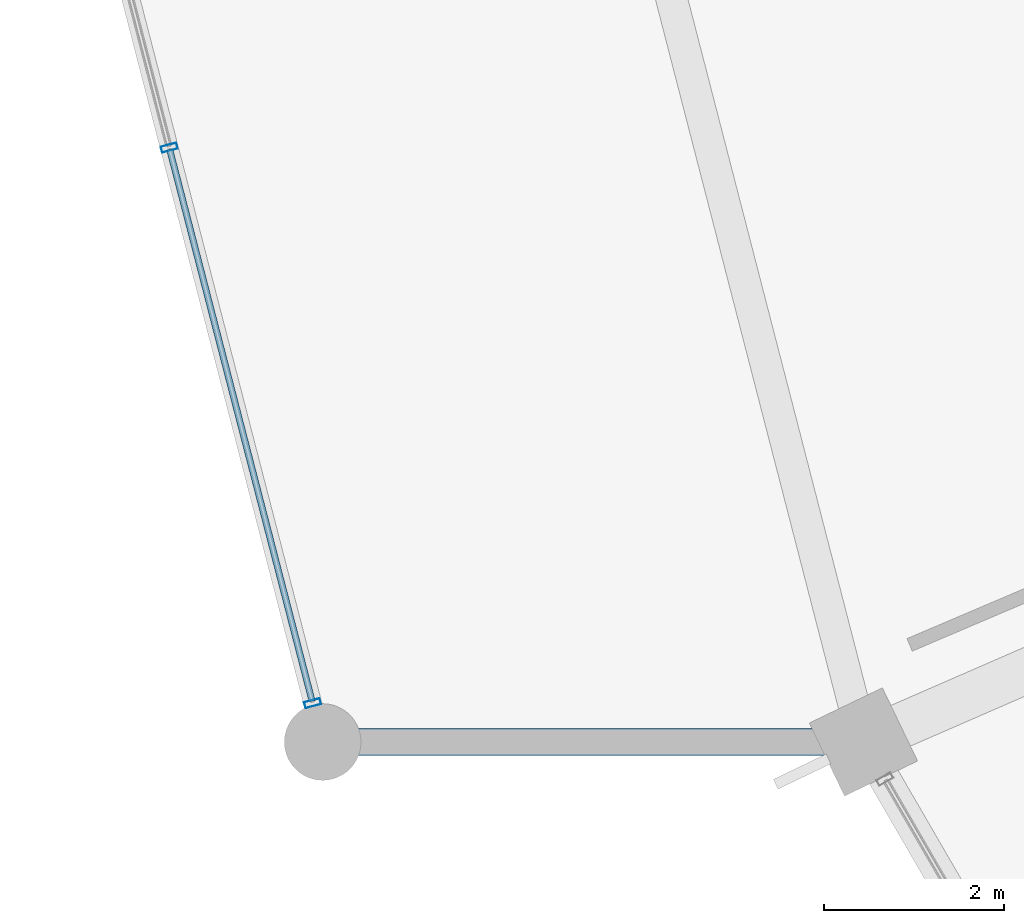
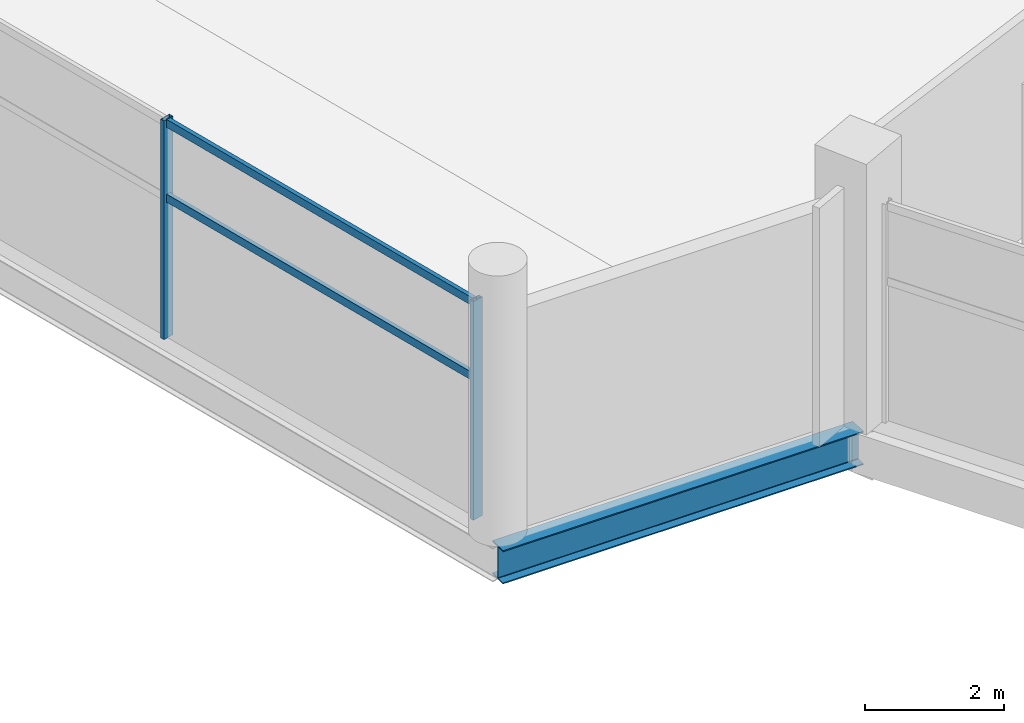
# One storey, part 9 of 156: 4 members, 1 beam, 1 element without a shape of its own.
"""IFC4 building model written with IfcOpenShell, lengths in metres."""

from ifc_helpers import new_model, si_unit, direction, frame, origin, origin_2d, place, context, subcontext, project, spatial, hollow_rectangle, i_section, extrude, material, layer, layer_set, material_profile, profile_set, type_object, element, aggregate, save


model = new_model("IFC4")

# Units and contexts
model_context = context("Model", 3, precision=1e-05, world=origin(), true_north=direction((0.0, 1.0)))
body_context = subcontext(model_context, "Body", "Model", "MODEL_VIEW")
ifc_project = project(units=[si_unit("LENGTHUNIT", "METRE"), si_unit("AREAUNIT", "SQUARE_METRE"), si_unit("VOLUMEUNIT", "CUBIC_METRE"), si_unit("PLANEANGLEUNIT", "RADIAN"), si_unit("MASSUNIT", "GRAM", prefix="KILO")], contexts=[model_context])

# Site, building, storey
site_placement = place(None, origin())
site = spatial("IfcSite", under=ifc_project, at=site_placement, CompositionType="ELEMENT")
building_placement = place(site_placement, origin())
building = spatial("IfcBuilding", under=site, at=building_placement, Name="Kazemori Nagisa Stadium", CompositionType="ELEMENT")
storey_placement = place(building_placement, frame((0.0, 0.0, 5.780029296875)))
storey = spatial("IfcBuildingStorey", under=building, at=storey_placement, Name="L01", CompositionType="ELEMENT", Elevation=5.780029296875)

# Beam
ifc_material_1 = material(Name="Steel SN490B", Category="steel")
ifc_material_profile_1 = material_profile(ifc_material_1, i_section(OverallWidth=0.300048828125, OverallDepth=0.587890625, WebThickness=0.011962890625, FlangeThickness=0.02001953125, FilletRadius=0.012939453125, at=origin_2d()), Name="H-588x300x12x20")
ifc_profile_set_1 = profile_set([ifc_material_profile_1], Name="Steel SN490B")
beam_type = type_object("IfcBeamType", Name="Beam_BG-H588", PredefinedType="BEAM", material=ifc_profile_set_1)
beam_placement = place(storey_placement, frame((34.114990234375, 63.25048828125, -0.573974609375), z_axis=(-1.0, 0.0, 0.0), x_axis=(0.0, -1.0, 0.0)))
element("IfcBeam", 1, at=beam_placement, inside=storey, type_object=beam_type, Name="Boulevard radial girder BG-H588 L01 R4-17", PredefinedType="BEAM", context=body_context, shape_type="SweptSolid", body=[
    extrude(i_section(OverallWidth=0.300048828125, OverallDepth=0.587890625, WebThickness=0.011962890625, FlangeThickness=0.02001953125, FilletRadius=0.012939453125, at=origin_2d()), origin(), (0.0, 0.0, 1.0), 6.0),
])

# Curtain wall, members
ifc_material_2 = material(Name="Anodised aluminium 6063-T5", Category="aluminium")
ifc_layer = layer(ifc_material_2, 0.179931640625, Name="Anodised aluminium 6063-T5", Category="aluminium")
ifc_layer_set = layer_set([ifc_layer], Name="Anodised aluminium 6063-T5")
curtain_wall_type = type_object("IfcCurtainWallType", Name="CW_L01R3_96", PredefinedType="USERDEFINED", material=ifc_layer_set)
curtain_wall_placement = place(storey_placement, origin())
curtain_wall = element("IfcCurtainWall", 2, at=curtain_wall_placement, inside=storey, type_object=curtain_wall_type, Name="Unitised curtain wall CW-L01R3-96 L01", ObjectType="UNITISED CURTAIN WALL", PredefinedType="USERDEFINED")
ifc_material_3 = material(Name="Aluminium 6063-T5 anodised", Category="aluminium")
ifc_material_profile_2 = material_profile(ifc_material_3, hollow_rectangle(XDim=0.070068359375, YDim=0.179931640625, WallThickness=0.00390625, at=origin_2d()), Name="ALU-MULL-70x180x4")
ifc_profile_set_2 = profile_set([ifc_material_profile_2], Name="Aluminium 6063-T5 anodised")
member_type_1 = type_object("IfcMemberType", Name="Mullion_M01", PredefinedType="MULLION", material=ifc_profile_set_2)
member_1_placement = place(storey_placement, frame((26.41259765625, 69.8447265625, 0.0), z_axis=(0.0, 0.0, 1.0), x_axis=(0.249964642418, -0.968254965152, 0.0)))
member_1 = element("IfcMember", 3, at=member_1_placement, type_object=member_type_1, Name="Curtain wall mullion CW-L01R3-96-M3", PredefinedType="MULLION", context=body_context, shape_type="SweptSolid", body=[
    extrude(hollow_rectangle(XDim=0.070068359375, YDim=0.179931640625, WallThickness=0.00390625, at=origin_2d()), origin(), (0.0, 0.0, 1.0), 3.849853515625),
])
member_2_placement = place(storey_placement, frame((28.00390625, 63.681396484375, 0.0), z_axis=(0.0, 0.0, 1.0), x_axis=(0.249964642418, -0.968254965152, 0.0)))
member_2 = element("IfcMember", 4, at=member_2_placement, type_object=member_type_1, Name="Curtain wall mullion CW-L01R3-96-M4", PredefinedType="MULLION", context=body_context, shape_type="SweptSolid", body=[
    extrude(hollow_rectangle(XDim=0.070068359375, YDim=0.179931640625, WallThickness=0.00390625, at=origin_2d()), origin(), (0.0, 0.0, 1.0), 3.849853515625),
])
ifc_material_profile_3 = material_profile(ifc_material_3, hollow_rectangle(XDim=0.070068359375, YDim=0.139892578125, WallThickness=0.00390625, at=origin_2d()), Name="ALU-TRAN-70x140x4")
ifc_profile_set_3 = profile_set([ifc_material_profile_3], Name="Aluminium 6063-T5 anodised")
member_type_2 = type_object("IfcMemberType", Name="Transom_T01", PredefinedType="USERDEFINED", material=ifc_profile_set_3)
member_3_placement = place(storey_placement, frame((26.417724609375, 69.825439453125, 2.4638671875), z_axis=(0.249948056089, -0.968259246926, 0.0), x_axis=(0.968259246926, 0.249948056089, 0.0)))
member_3 = element("IfcMember", 5, at=member_3_placement, type_object=member_type_2, Name="Curtain wall transom CW-L01R3-96-T3-mid", ObjectType="TRANSOM", PredefinedType="USERDEFINED", context=body_context, shape_type="SweptSolid", body=[
    extrude(hollow_rectangle(XDim=0.070068359375, YDim=0.139892578125, WallThickness=0.00390625, at=origin_2d()), origin(), (0.0, 0.0, 1.0), 6.325439453125),
])
member_4_placement = place(storey_placement, frame((26.417724609375, 69.825439453125, 3.780029296875), z_axis=(0.249948056089, -0.968259246926, 0.0), x_axis=(0.968259246926, 0.249948056089, 0.0)))
member_4 = element("IfcMember", 6, at=member_4_placement, type_object=member_type_2, Name="Curtain wall transom CW-L01R3-96-T3-head", ObjectType="TRANSOM", PredefinedType="USERDEFINED", context=body_context, shape_type="SweptSolid", body=[
    extrude(hollow_rectangle(XDim=0.070068359375, YDim=0.139892578125, WallThickness=0.00390625, at=origin_2d()), origin(), (0.0, 0.0, 1.0), 6.325439453125),
])
aggregate(curtain_wall, [member_1, member_2, member_3, member_4])

save(model, "model.ifc")
